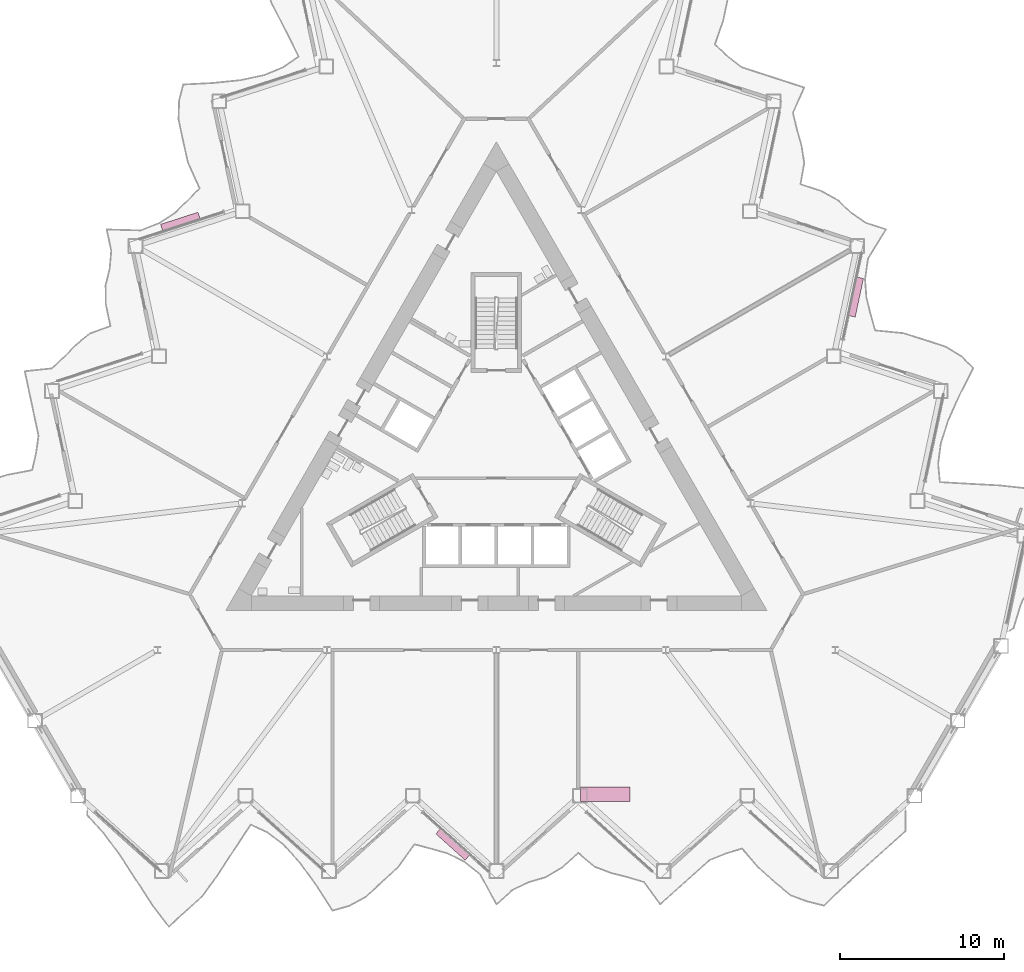
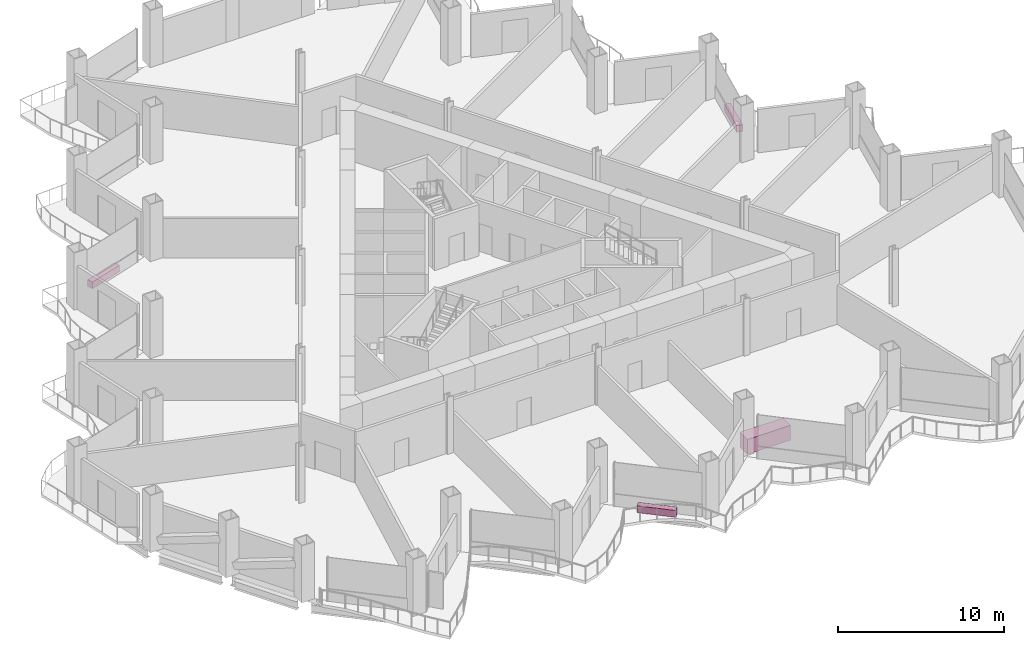
# One storey, part 21 of 21: 4 furniture elements.
"""IFC4 building model written with IfcOpenShell, lengths in metres."""

from ifc_helpers import new_model, si_unit, direction, frame, origin, origin_2d, place, context, subcontext, project, spatial, rectangle, extrude, material, type_object, element, save


model = new_model("IFC4")

# Units and contexts
model_context = context("Model", 3, precision=1e-05, world=origin(), true_north=direction((0.0, 1.0)))
body_context = subcontext(model_context, "Body", "Model", "MODEL_VIEW")
ifc_project = project(units=[si_unit("LENGTHUNIT", "METRE"), si_unit("AREAUNIT", "SQUARE_METRE"), si_unit("VOLUMEUNIT", "CUBIC_METRE"), si_unit("PLANEANGLEUNIT", "RADIAN"), si_unit("MASSUNIT", "GRAM", prefix="KILO")], contexts=[model_context])

# Site, building, storey
site_placement = place(None, origin())
site = spatial("IfcSite", under=ifc_project, at=site_placement, CompositionType="ELEMENT")
building_placement = place(site_placement, origin())
building = spatial("IfcBuilding", under=site, at=building_placement, Name="Cormorant Prow Tower", CompositionType="ELEMENT")
storey_placement = place(building_placement, frame((0.0, 0.0, 103.800048828125)))
storey = spatial("IfcBuildingStorey", under=building, at=storey_placement, Name="L21", CompositionType="ELEMENT", Elevation=103.800048828125)

# Furniture
ifc_material_1 = material(Name="Terracotta", Category="masonry")
furniture_type_1 = type_object("IfcFurnitureType", Name="Balcony planter 2400x400x500", AssemblyPlace="NOTDEFINED", PredefinedType="USERDEFINED", material=ifc_material_1)
for number, where, z_axis, x_axis, name in (
    (1, (-2.66357421875, -23.788330078125, 0.0), (0.0, 0.0, 1.0), (0.743144785735, -0.669130650497, 0.0), "Balcony planter S04"),
    (2, (21.93310546875, 9.58740234375, 0.0), (0.0, 0.0, 1.0), (0.207911769861, 0.978147583933, 0.0), "Balcony planter ENE04"),
    (3, (-19.26953125, 14.200927734375, 0.0), (0.0, 0.0, 1.0), (-0.951056535959, -0.309016933855, 0.0), "Balcony planter WNW04"),
):
    element("IfcFurniture", number, at=place(storey_placement, frame(where, z_axis=z_axis, x_axis=x_axis)), inside=storey, type_object=furniture_type_1, Name=name, ObjectType="PLANTER", PredefinedType="USERDEFINED", context=body_context, shape_type="SweptSolid", body=[
        extrude(rectangle(XDim=2.39990234375, YDim=0.39990234375, at=origin_2d()), origin(), (0.0, 0.0, 1.0), 0.5),
    ])
ifc_material_2 = material(Name="Timber joinery", Category="wood")
furniture_type_2 = type_object("IfcFurnitureType", Name="Reception desk 3000x900", AssemblyPlace="NOTDEFINED", PredefinedType="DESK", material=ifc_material_2)
furniture_placement = place(storey_placement, frame((6.6376953125, -20.722412109375, 0.0), z_axis=(0.0, 0.0, 1.0), x_axis=(1.0, 0.0, 0.0)))
element("IfcFurniture", 4, at=furniture_placement, inside=storey, type_object=furniture_type_2, Name="Reception desk", PredefinedType="DESK", context=body_context, shape_type="SweptSolid", body=[
    extrude(rectangle(XDim=3.0, YDim=0.89990234375, at=origin_2d()), origin(), (0.0, 0.0, 1.0), 1.10009765625),
])

save(model, "model.ifc")
